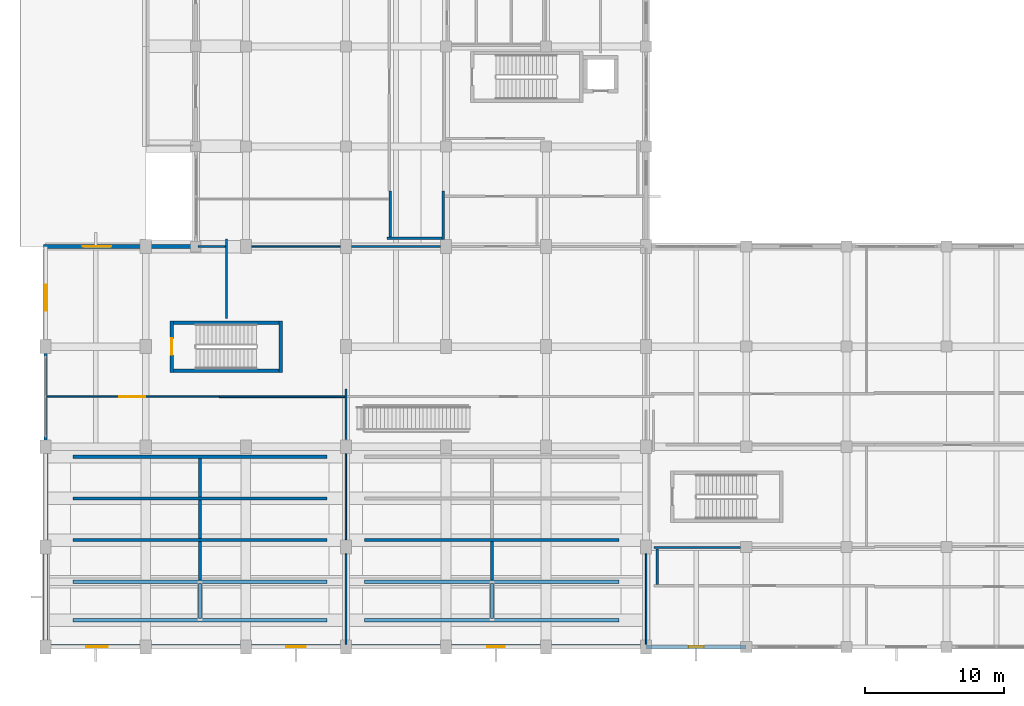
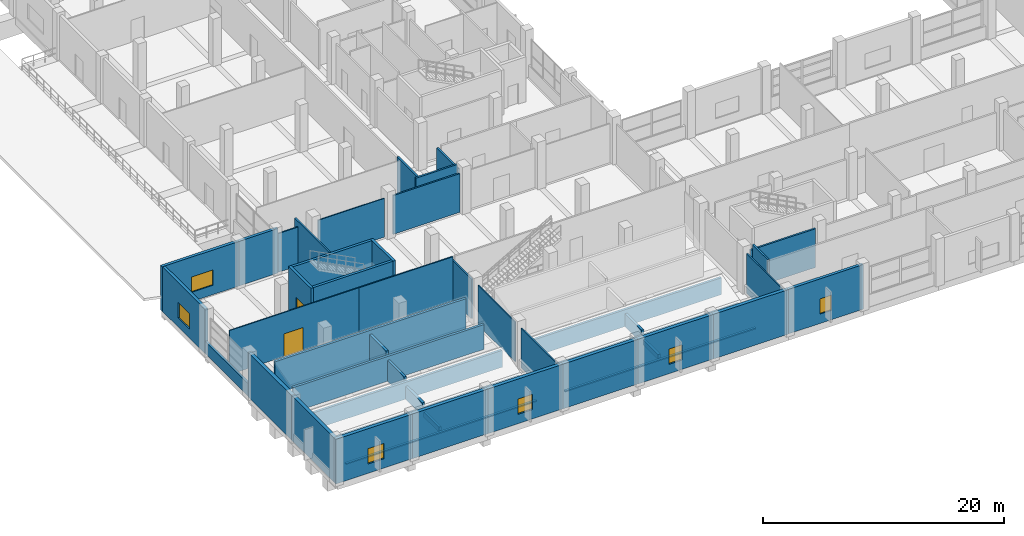
# One storey, part 118 of 140: 46 walls, 6 windows, 2 doors, 8 openings.
"""IFC4 building model written with IfcOpenShell, lengths in metres."""

from ifc_helpers import new_model, si_unit, direction, frame, frame_2d, origin, place, context, subcontext, project, spatial, rectangle, extrude, material, layer, layer_set, type_object, element, fill, save


model = new_model("IFC4")

# Units and contexts
model_context = context("Model", 3, precision=1e-05, world=origin(), true_north=direction((0.0, 1.0)))
body_context = subcontext(model_context, "Body", "Model", "MODEL_VIEW")
ifc_project = project(units=[si_unit("LENGTHUNIT", "METRE"), si_unit("AREAUNIT", "SQUARE_METRE"), si_unit("VOLUMEUNIT", "CUBIC_METRE"), si_unit("PLANEANGLEUNIT", "RADIAN"), si_unit("MASSUNIT", "GRAM", prefix="KILO")], contexts=[model_context])

# Site, building, storey
site_placement = place(None, origin())
site = spatial("IfcSite", under=ifc_project, at=site_placement, CompositionType="ELEMENT")
building_placement = place(site_placement, origin())
building = spatial("IfcBuilding", under=site, at=building_placement, Name="Seraya Terrace Polytechnic", CompositionType="ELEMENT")
storey_placement = place(building_placement, frame((0.0, 0.0, 9.60009765625)))
storey = spatial("IfcBuildingStorey", under=building, at=storey_placement, Name="L02", CompositionType="ELEMENT", Elevation=9.60009765625)

# Wall, opening, window
ifc_material_1 = material(Name="Precast concrete C40/50", Category="concrete")
ifc_layer_1 = layer(ifc_material_1, 0.280029296875, Name="EW-02")
ifc_layer_set_1 = layer_set([ifc_layer_1], Name="Precast concrete C40/50")
wall_type_1 = type_object("IfcWallType", Name="EW-02", PredefinedType="SOLIDWALL", material=ifc_layer_set_1)
wall_1_placement = place(storey_placement, frame((50.39990234375, 0.0, 0.0), z_axis=(0.0, 0.0, 1.0), x_axis=(-1.0, 0.0, 0.0)))
wall_1 = element("IfcWall", 1, at=wall_1_placement, inside=storey, type_object=wall_type_1, Name="Exterior structural wall EW-02 L02", PredefinedType="SOLIDWALL", context=body_context, shape_type="SweptSolid", body=[
    extrude(rectangle(XDim=7.199951171875, YDim=0.280029296875, at=frame_2d((3.60009765625, 0.0))), origin(), (0.0, 0.0, 1.0), 4.52001953125),
])
opening_1_placement = place(wall_1_placement, frame((3.050048828125, 0.0, 0.949951171875)))
opening_1 = element("IfcOpeningElement", 2, at=opening_1_placement, cuts=wall_1, Name="Opening WN-13", PredefinedType="OPENING", context=body_context, shape_type="SweptSolid", body=[
    extrude(rectangle(XDim=1.10009765625, YDim=1.550048828125, at=frame_2d((0.550048828125, 0.77490234375))), frame((0.0, 0.15185546875, 0.0), z_axis=(0.0, -1.0, 0.0), x_axis=(1.0, 0.0, 0.0)), (0.0, 0.0, 1.0), 0.303955078125),
])
ifc_material_2 = material(Name="Laminated solar-control Low-E double glazing", Category="glass")
window_type_1 = type_object("IfcWindowType", Name="WN-13", PartitioningType="SINGLE_PANEL", PredefinedType="WINDOW", material=ifc_material_2)
window_1_placement = place(opening_1_placement, origin())
window_1 = element("IfcWindow", 3, at=window_1_placement, inside=storey, type_object=window_type_1, Name="Exterior window WN-13 L02", OverallHeight=1.550048828125, OverallWidth=1.10009765625, PartitioningType="SINGLE_PANEL", PredefinedType="WINDOW", context=body_context, shape_type="SweptSolid", body=[
    extrude(rectangle(XDim=1.10009765625, YDim=1.550048828125, at=frame_2d((0.550048828125, 0.77490234375))), frame((0.0, 0.030029296875, 0.0), z_axis=(0.0, -1.0, 0.0), x_axis=(1.0, 0.0, 0.0)), (0.0, 0.0, 1.0), 0.06005859375),
])
fill(opening_1, window_1)

wall_2_placement = place(storey_placement, frame((0.0, 21.60009765625, 0.0), z_axis=(0.0, 0.0, 1.0), x_axis=(0.0, 1.0, 0.0)))
wall_2 = element("IfcWall", 4, at=wall_2_placement, inside=storey, type_object=wall_type_1, Name="Exterior structural wall EW-02 L02", PredefinedType="SOLIDWALL", context=body_context, shape_type="SweptSolid", body=[
    extrude(rectangle(XDim=7.033935546875, YDim=0.280029296875, at=frame_2d((3.51708984375, 0.0))), origin(), (0.0, 0.0, 1.0), 4.52001953125),
])
opening_2_placement = place(wall_2_placement, frame((2.592041015625, 0.0, 0.949951171875)))
opening_2 = element("IfcOpeningElement", 5, at=opening_2_placement, cuts=wall_2, Name="Opening WN-18", PredefinedType="OPENING", context=body_context, shape_type="SweptSolid", body=[
    extrude(rectangle(XDim=1.85009765625, YDim=1.550048828125, at=frame_2d((0.925048828125, 0.77490234375))), frame((0.0, 0.15185546875, 0.0), z_axis=(0.0, -1.0, 0.0), x_axis=(1.0, 0.0, 0.0)), (0.0, 0.0, 1.0), 0.303955078125),
])
window_type_2 = type_object("IfcWindowType", Name="WN-18", PartitioningType="SINGLE_PANEL", PredefinedType="WINDOW", material=ifc_material_2)
window_2_placement = place(opening_2_placement, origin())
window_2 = element("IfcWindow", 6, at=window_2_placement, inside=storey, type_object=window_type_2, Name="Exterior window WN-18 L02", OverallHeight=1.550048828125, OverallWidth=1.85009765625, PartitioningType="SINGLE_PANEL", PredefinedType="WINDOW", context=body_context, shape_type="SweptSolid", body=[
    extrude(rectangle(XDim=1.85009765625, YDim=1.550048828125, at=frame_2d((0.925048828125, 0.77490234375))), frame((0.0, 0.030029296875, 0.0), z_axis=(0.0, -1.0, 0.0), x_axis=(1.0, 0.0, 0.0)), (0.0, 0.0, 1.0), 0.06005859375),
])
fill(opening_2, window_2)

wall_3_placement = place(storey_placement, frame((-0.14990234375, 28.800048828125, 0.0), z_axis=(0.0, 0.0, 1.0), x_axis=(1.0, 0.0, 0.0)))
wall_3 = element("IfcWall", 7, at=wall_3_placement, inside=storey, type_object=wall_type_1, Name="Exterior structural wall EW-02 L02", PredefinedType="SOLIDWALL", context=body_context, shape_type="SweptSolid", body=[
    extrude(rectangle(XDim=7.349853515625, YDim=0.280029296875, at=frame_2d((3.6748046875, 0.0))), origin(), (0.0, 0.0, 1.0), 4.52001953125),
])
opening_3_placement = place(wall_3_placement, frame((2.824951171875, 0.0, 0.949951171875)))
opening_3 = element("IfcOpeningElement", 8, at=opening_3_placement, cuts=wall_3, Name="Opening WN-19", PredefinedType="OPENING", context=body_context, shape_type="SweptSolid", body=[
    extrude(rectangle(XDim=2.050048828125, YDim=1.550048828125, at=frame_2d((1.02490234375, 0.77490234375))), frame((0.0, 0.15185546875, 0.0), z_axis=(0.0, -1.0, 0.0), x_axis=(1.0, 0.0, 0.0)), (0.0, 0.0, 1.0), 0.303955078125),
])
window_type_3 = type_object("IfcWindowType", Name="WN-19", PartitioningType="SINGLE_PANEL", PredefinedType="WINDOW", material=ifc_material_2)
window_3_placement = place(opening_3_placement, origin())
window_3 = element("IfcWindow", 9, at=window_3_placement, inside=storey, type_object=window_type_3, Name="Exterior window WN-19 L02", OverallHeight=1.550048828125, OverallWidth=2.050048828125, PartitioningType="SINGLE_PANEL", PredefinedType="WINDOW", context=body_context, shape_type="SweptSolid", body=[
    extrude(rectangle(XDim=2.050048828125, YDim=1.550048828125, at=frame_2d((1.02490234375, 0.77490234375))), frame((0.0, 0.030029296875, 0.0), z_axis=(0.0, -1.0, 0.0), x_axis=(1.0, 0.0, 0.0)), (0.0, 0.0, 1.0), 0.06005859375),
])
fill(opening_3, window_3)

# Walls
wall_4_placement = place(storey_placement, frame((7.199951171875, 28.800048828125, 0.0), z_axis=(0.0, 0.0, 1.0), x_axis=(1.0, 0.0, 0.0)))
element("IfcWall", 10, at=wall_4_placement, inside=storey, type_object=wall_type_1, Name="Exterior structural wall EW-02 L02", PredefinedType="SOLIDWALL", context=body_context, shape_type="SweptSolid", body=[
    extrude(rectangle(XDim=3.75, YDim=0.280029296875, at=frame_2d((1.875, 0.0))), origin(), (0.0, 0.0, 1.0), 4.52001953125),
])
ifc_layer_2 = layer(ifc_material_1, 0.219970703125, Name="EW-05")
ifc_layer_set_2 = layer_set([ifc_layer_2], Name="Precast concrete C40/50")
wall_type_2 = type_object("IfcWallType", Name="EW-05", PredefinedType="SOLIDWALL", material=ifc_layer_set_2)
wall_5_placement = place(storey_placement, frame((0.0, 14.39990234375, 0.0), z_axis=(0.0, 0.0, 1.0), x_axis=(0.0, 1.0, 0.0)))
element("IfcWall", 11, at=wall_5_placement, inside=storey, type_object=wall_type_2, Name="Precast spandrel wall L02", PredefinedType="SOLIDWALL", context=body_context, shape_type="SweptSolid", body=[
    extrude(rectangle(XDim=7.2001953125, YDim=0.219970703125, at=frame_2d((3.60009765625, 0.0))), origin(), (0.0, 0.0, 1.0), 1.239990234375),
])
ifc_material_3 = material(Name="Concrete C40/50", Category="concrete")
ifc_layer_3 = layer(ifc_material_3, 0.330078125, Name="EW-06")
ifc_layer_set_3 = layer_set([ifc_layer_3], Name="Concrete C40/50")
wall_type_3 = type_object("IfcWallType", Name="EW-06", PredefinedType="SOLIDWALL", material=ifc_layer_set_3)
wall_6_placement = place(storey_placement, frame((43.199951171875, 0.0, 0.0), z_axis=(0.0, 0.0, 1.0), x_axis=(-1.0, 0.0, 0.0)))
element("IfcWall", 12, at=wall_6_placement, inside=storey, type_object=wall_type_3, Name="Exterior structural wall EW-06 L02", PredefinedType="SOLIDWALL", context=body_context, shape_type="SweptSolid", body=[
    extrude(rectangle(XDim=7.199951171875, YDim=0.330078125, at=frame_2d((3.60009765625, 0.0))), origin(), (0.0, 0.0, 1.0), 4.52001953125),
])

# Wall, opening, window
wall_7_placement = place(storey_placement, frame((36.0, 0.0, 0.0), z_axis=(0.0, 0.0, 1.0), x_axis=(-1.0, 0.0, 0.0)))
wall_7 = element("IfcWall", 13, at=wall_7_placement, inside=storey, type_object=wall_type_3, Name="Exterior structural wall EW-06 L02", PredefinedType="SOLIDWALL", context=body_context, shape_type="SweptSolid", body=[
    extrude(rectangle(XDim=7.199951171875, YDim=0.330078125, at=frame_2d((3.60009765625, 0.0))), origin(), (0.0, 0.0, 1.0), 4.52001953125),
])
opening_4_placement = place(wall_7_placement, frame((2.97509765625, 0.0, 0.949951171875)))
opening_4 = element("IfcOpeningElement", 14, at=opening_4_placement, cuts=wall_7, Name="Opening WN-14", PredefinedType="OPENING", context=body_context, shape_type="SweptSolid", body=[
    extrude(rectangle(XDim=1.25, YDim=1.550048828125, at=frame_2d((0.625, 0.77490234375))), frame((0.0, 0.177001953125, 0.0), z_axis=(0.0, -1.0, 0.0), x_axis=(1.0, 0.0, 0.0)), (0.0, 0.0, 1.0), 0.35400390625),
])
window_type_4 = type_object("IfcWindowType", Name="WN-14", PartitioningType="SINGLE_PANEL", PredefinedType="WINDOW", material=ifc_material_2)
window_4_placement = place(opening_4_placement, origin())
window_4 = element("IfcWindow", 15, at=window_4_placement, inside=storey, type_object=window_type_4, Name="Exterior window WN-14 L02", OverallHeight=1.550048828125, OverallWidth=1.25, PartitioningType="SINGLE_PANEL", PredefinedType="WINDOW", context=body_context, shape_type="SweptSolid", body=[
    extrude(rectangle(XDim=1.25, YDim=1.550048828125, at=frame_2d((0.625, 0.77490234375))), frame((0.0, 0.030029296875, 0.0), z_axis=(0.0, -1.0, 0.0), x_axis=(1.0, 0.0, 0.0)), (0.0, 0.0, 1.0), 0.06005859375),
])
fill(opening_4, window_4)

# Wall
wall_8_placement = place(storey_placement, frame((28.800048828125, 0.0, 0.0), z_axis=(0.0, 0.0, 1.0), x_axis=(-1.0, 0.0, 0.0)))
element("IfcWall", 16, at=wall_8_placement, inside=storey, type_object=wall_type_3, Name="Exterior structural wall EW-06 L02", PredefinedType="SOLIDWALL", context=body_context, shape_type="SweptSolid", body=[
    extrude(rectangle(XDim=7.199951171875, YDim=0.330078125, at=frame_2d((3.60009765625, 0.0))), origin(), (0.0, 0.0, 1.0), 4.52001953125),
])

# Wall, opening, window
wall_9_placement = place(storey_placement, frame((21.60009765625, 0.0, 0.0), z_axis=(0.0, 0.0, 1.0), x_axis=(-1.0, 0.0, 0.0)))
wall_9 = element("IfcWall", 17, at=wall_9_placement, inside=storey, type_object=wall_type_3, Name="Exterior structural wall EW-06 L02", PredefinedType="SOLIDWALL", context=body_context, shape_type="SweptSolid", body=[
    extrude(rectangle(XDim=7.2001953125, YDim=0.330078125, at=frame_2d((3.60009765625, 0.0))), origin(), (0.0, 0.0, 1.0), 4.52001953125),
])
opening_5_placement = place(wall_9_placement, frame((2.89990234375, 0.0, 0.949951171875)))
opening_5 = element("IfcOpeningElement", 18, at=opening_5_placement, cuts=wall_9, Name="Opening WN-15", PredefinedType="OPENING", context=body_context, shape_type="SweptSolid", body=[
    extrude(rectangle(XDim=1.39990234375, YDim=1.550048828125, at=frame_2d((0.699951171875, 0.77490234375))), frame((0.0, 0.177001953125, 0.0), z_axis=(0.0, -1.0, 0.0), x_axis=(1.0, 0.0, 0.0)), (0.0, 0.0, 1.0), 0.35400390625),
])
window_type_5 = type_object("IfcWindowType", Name="WN-15", PartitioningType="SINGLE_PANEL", PredefinedType="WINDOW", material=ifc_material_2)
window_5_placement = place(opening_5_placement, origin())
window_5 = element("IfcWindow", 19, at=window_5_placement, inside=storey, type_object=window_type_5, Name="Exterior window WN-15 L02", OverallHeight=1.550048828125, OverallWidth=1.39990234375, PartitioningType="SINGLE_PANEL", PredefinedType="WINDOW", context=body_context, shape_type="SweptSolid", body=[
    extrude(rectangle(XDim=1.39990234375, YDim=1.550048828125, at=frame_2d((0.699951171875, 0.77490234375))), frame((0.0, 0.030029296875, 0.0), z_axis=(0.0, -1.0, 0.0), x_axis=(1.0, 0.0, 0.0)), (0.0, 0.0, 1.0), 0.06005859375),
])
fill(opening_5, window_5)

# Wall
wall_10_placement = place(storey_placement, frame((14.39990234375, 0.0, 0.0), z_axis=(0.0, 0.0, 1.0), x_axis=(-1.0, 0.0, 0.0)))
element("IfcWall", 20, at=wall_10_placement, inside=storey, type_object=wall_type_3, Name="Exterior structural wall EW-06 L02", PredefinedType="SOLIDWALL", context=body_context, shape_type="SweptSolid", body=[
    extrude(rectangle(XDim=7.199951171875, YDim=0.330078125, at=frame_2d((3.60009765625, 0.0))), origin(), (0.0, 0.0, 1.0), 4.52001953125),
])

# Wall, opening, window
wall_11_placement = place(storey_placement, frame((7.199951171875, 0.0, 0.0), z_axis=(0.0, 0.0, 1.0), x_axis=(-1.0, 0.0, 0.0)))
wall_11 = element("IfcWall", 21, at=wall_11_placement, inside=storey, type_object=wall_type_3, Name="Exterior structural wall EW-06 L02", PredefinedType="SOLIDWALL", context=body_context, shape_type="SweptSolid", body=[
    extrude(rectangle(XDim=7.349853515625, YDim=0.330078125, at=frame_2d((3.6748046875, 0.0))), origin(), (0.0, 0.0, 1.0), 4.52001953125),
])
opening_6_placement = place(wall_11_placement, frame((2.72509765625, 0.0, 0.949951171875)))
opening_6 = element("IfcOpeningElement", 22, at=opening_6_placement, cuts=wall_11, Name="Opening WN-16", PredefinedType="OPENING", context=body_context, shape_type="SweptSolid", body=[
    extrude(rectangle(XDim=1.550048828125, YDim=1.550048828125, at=frame_2d((0.77490234375, 0.77490234375))), frame((0.0, 0.177001953125, 0.0), z_axis=(0.0, -1.0, 0.0), x_axis=(1.0, 0.0, 0.0)), (0.0, 0.0, 1.0), 0.35400390625),
])
window_type_6 = type_object("IfcWindowType", Name="WN-16", PartitioningType="SINGLE_PANEL", PredefinedType="WINDOW", material=ifc_material_2)
window_6_placement = place(opening_6_placement, origin())
window_6 = element("IfcWindow", 23, at=window_6_placement, inside=storey, type_object=window_type_6, Name="Exterior window WN-16 L02", OverallHeight=1.550048828125, OverallWidth=1.550048828125, PartitioningType="SINGLE_PANEL", PredefinedType="WINDOW", context=body_context, shape_type="SweptSolid", body=[
    extrude(rectangle(XDim=1.550048828125, YDim=1.550048828125, at=frame_2d((0.77490234375, 0.77490234375))), frame((0.0, 0.030029296875, 0.0), z_axis=(0.0, -1.0, 0.0), x_axis=(1.0, 0.0, 0.0)), (0.0, 0.0, 1.0), 0.06005859375),
])
fill(opening_6, window_6)

# Walls
wall_12_placement = place(storey_placement, frame((0.0, 0.166015625, 0.0), z_axis=(0.0, 0.0, 1.0), x_axis=(0.0, 1.0, 0.0)))
element("IfcWall", 24, at=wall_12_placement, inside=storey, type_object=wall_type_3, Name="Exterior structural wall EW-06 L02", PredefinedType="SOLIDWALL", context=body_context, shape_type="SweptSolid", body=[
    extrude(rectangle(XDim=7.033935546875, YDim=0.330078125, at=frame_2d((3.51708984375, 0.0))), origin(), (0.0, 0.0, 1.0), 4.52001953125),
])
wall_13_placement = place(storey_placement, frame((0.0, 7.199951171875, 0.0), z_axis=(0.0, 0.0, 1.0), x_axis=(0.0, 1.0, 0.0)))
element("IfcWall", 25, at=wall_13_placement, inside=storey, type_object=wall_type_3, Name="Exterior structural wall EW-06 L02", PredefinedType="SOLIDWALL", context=body_context, shape_type="SweptSolid", body=[
    extrude(rectangle(XDim=7.199951171875, YDim=0.330078125, at=frame_2d((3.60009765625, 0.0))), origin(), (0.0, 0.0, 1.0), 4.52001953125),
])
ifc_material_4 = material(Name="Autoclaved aerated concrete blockwork", Category="masonry")
ifc_layer_4 = layer(ifc_material_4, 0.169921875, Name="PT-02")
ifc_layer_set_4 = layer_set([ifc_layer_4], Name="Autoclaved aerated concrete blockwork")
wall_type_4 = type_object("IfcWallType", Name="PT-02", PredefinedType="PARTITIONING", material=ifc_layer_set_4)
wall_14_placement = place(storey_placement, frame((43.760009765625, 7.14990234375, 0.0), z_axis=(0.0, 0.0, 1.0), x_axis=(1.0, 0.0, 0.0)))
element("IfcWall", 26, at=wall_14_placement, inside=storey, type_object=wall_type_4, Name="Internal partition PT-02 L02", PredefinedType="PARTITIONING", context=body_context, shape_type="SweptSolid", body=[
    extrude(rectangle(XDim=6.22998046875, YDim=0.169921875, at=frame_2d((3.114990234375, 0.0))), origin(), (0.0, 0.0, 1.0), 3.929931640625),
])
wall_15_placement = place(storey_placement, frame((44.0, 4.5, 0.0), z_axis=(0.0, 0.0, 1.0), x_axis=(0.0, 1.0, 0.0)))
element("IfcWall", 27, at=wall_15_placement, inside=storey, type_object=wall_type_4, Name="Internal partition PT-02 L02", PredefinedType="PARTITIONING", context=body_context, shape_type="SweptSolid", body=[
    extrude(rectangle(XDim=2.550048828125, YDim=0.169921875, at=frame_2d((1.27490234375, 0.0))), origin(), (0.0, 0.0, 1.0), 4.4599609375),
])
wall_16_placement = place(storey_placement, frame((28.60009765625, 29.31005859375, 0.0), z_axis=(0.0, 0.0, 1.0), x_axis=(0.0, 1.0, 0.0)))
element("IfcWall", 28, at=wall_16_placement, inside=storey, type_object=wall_type_4, Name="Internal partition PT-02 L02", PredefinedType="PARTITIONING", context=body_context, shape_type="SweptSolid", body=[
    extrude(rectangle(XDim=3.4853515625, YDim=0.169921875, at=frame_2d((1.74267578125, 0.0))), origin(), (0.0, 0.0, 1.0), 4.02978515625),
])
wall_17_placement = place(storey_placement, frame((24.56005859375, 29.39990234375, 0.0), z_axis=(0.0, 0.0, 1.0), x_axis=(1.0, 0.0, 0.0)))
element("IfcWall", 29, at=wall_17_placement, inside=storey, type_object=wall_type_4, Name="Internal partition PT-02 L02", PredefinedType="PARTITIONING", context=body_context, shape_type="SweptSolid", body=[
    extrude(rectangle(XDim=3.93994140625, YDim=0.169921875, at=frame_2d((1.969970703125, 0.0))), origin(), (0.0, 0.0, 1.0), 4.4599609375),
])
wall_18_placement = place(storey_placement, frame((24.800048828125, 29.5, 0.0), z_axis=(0.0, 0.0, 1.0), x_axis=(0.0, 1.0, 0.0)))
element("IfcWall", 30, at=wall_18_placement, inside=storey, type_object=wall_type_4, Name="Internal partition PT-02 L02", PredefinedType="PARTITIONING", context=body_context, shape_type="SweptSolid", body=[
    extrude(rectangle(XDim=3.29541015625, YDim=0.169921875, at=frame_2d((1.647705078125, 0.0))), origin(), (0.0, 0.0, 1.0), 4.4599609375),
])
ifc_layer_5 = layer(ifc_material_4, 0.14990234375, Name="PT-03")
ifc_layer_set_5 = layer_set([ifc_layer_5], Name="Autoclaved aerated concrete blockwork")
wall_type_5 = type_object("IfcWallType", Name="PT-03", PredefinedType="PARTITIONING", material=ifc_layer_set_5)
wall_19_placement = place(storey_placement, frame((21.60009765625, 14.909912109375, 0.0), z_axis=(0.0, 0.0, 1.0), x_axis=(0.0, 1.0, 0.0)))
element("IfcWall", 31, at=wall_19_placement, inside=storey, type_object=wall_type_5, Name="Internal partition PT-03 L02", PredefinedType="PARTITIONING", context=body_context, shape_type="SweptSolid", body=[
    extrude(rectangle(XDim=3.650146484375, YDim=0.14990234375, at=frame_2d((1.8251953125, 0.0))), origin(), (0.0, 0.0, 1.0), 4.02978515625),
])
wall_20_placement = place(storey_placement, frame((13.0, 23.6298828125, 0.0), z_axis=(0.0, 0.0, 1.0), x_axis=(0.0, 1.0, 0.0)))
element("IfcWall", 32, at=wall_20_placement, inside=storey, type_object=wall_type_5, Name="Internal partition PT-03 L02", PredefinedType="PARTITIONING", context=body_context, shape_type="SweptSolid", body=[
    extrude(rectangle(XDim=5.724365234375, YDim=0.14990234375, at=frame_2d((2.8623046875, 0.0))), origin(), (0.0, 0.0, 1.0), 4.4599609375),
])
wall_21_placement = place(storey_placement, frame((22.010009765625, 28.800048828125, 0.0), z_axis=(0.0, 0.0, 1.0), x_axis=(1.0, 0.0, 0.0)))
element("IfcWall", 33, at=wall_21_placement, inside=storey, type_object=wall_type_5, Name="Internal partition PT-03 L02", PredefinedType="PARTITIONING", context=body_context, shape_type="SweptSolid", body=[
    extrude(rectangle(XDim=6.3798828125, YDim=0.14990234375, at=frame_2d((3.18994140625, 0.0))), origin(), (0.0, 0.0, 1.0), 3.929931640625),
])
ifc_layer_6 = layer(ifc_material_4, 0.1201171875, Name="PT-05")
ifc_layer_set_6 = layer_set([ifc_layer_6], Name="Autoclaved aerated concrete blockwork")
wall_type_6 = type_object("IfcWallType", Name="PT-05", PredefinedType="PARTITIONING", material=ifc_layer_set_6)
wall_22_placement = place(storey_placement, frame((21.60009765625, 0.177001953125, 0.0), z_axis=(0.0, 0.0, 1.0), x_axis=(0.0, 1.0, 0.0)))
element("IfcWall", 34, at=wall_22_placement, inside=storey, type_object=wall_type_6, Name="Internal partition PT-05 L02", PredefinedType="PARTITIONING", context=body_context, shape_type="SweptSolid", body=[
    extrude(rectangle(XDim=6.512939453125, YDim=0.1201171875, at=frame_2d((3.25634765625, 0.0))), origin(), (0.0, 0.0, 1.0), 4.02978515625),
])
wall_23_placement = place(storey_placement, frame((12.5, 18.0, 0.0), z_axis=(0.0, 0.0, 1.0), x_axis=(1.0, 0.0, 0.0)))
element("IfcWall", 35, at=wall_23_placement, inside=storey, type_object=wall_type_6, Name="Internal partition PT-05 L02", PredefinedType="PARTITIONING", context=body_context, shape_type="SweptSolid", body=[
    extrude(rectangle(XDim=9.010009765625, YDim=0.1201171875, at=frame_2d((4.5048828125, 0.0))), origin(), (0.0, 0.0, 1.0), 4.4599609375),
])
wall_24_placement = place(storey_placement, frame((43.199951171875, 0.177001953125, 0.0), z_axis=(0.0, 0.0, 1.0), x_axis=(0.0, 1.0, 0.0)))
element("IfcWall", 36, at=wall_24_placement, inside=storey, type_object=wall_type_6, Name="Internal partition PT-05 L02", PredefinedType="PARTITIONING", context=body_context, shape_type="SweptSolid", body=[
    extrude(rectangle(XDim=6.512939453125, YDim=0.1201171875, at=frame_2d((3.25634765625, 0.0))), origin(), (0.0, 0.0, 1.0), 4.02978515625),
])
wall_25_placement = place(storey_placement, frame((10.9619140625, 28.800048828125, 0.0), z_axis=(0.0, 0.0, 1.0), x_axis=(1.0, 0.0, 0.0)))
element("IfcWall", 37, at=wall_25_placement, inside=storey, type_object=wall_type_6, Name="Internal partition PT-05 L02", PredefinedType="PARTITIONING", context=body_context, shape_type="SweptSolid", body=[
    extrude(rectangle(XDim=1.947998046875, YDim=0.1201171875, at=frame_2d((0.97412109375, 0.0))), origin(), (0.0, 0.0, 1.0), 3.929931640625),
])
ifc_layer_7 = layer(ifc_material_4, 0.10009765625, Name="PT-06")
ifc_layer_set_7 = layer_set([ifc_layer_7], Name="Autoclaved aerated concrete blockwork")
wall_type_7 = type_object("IfcWallType", Name="PT-06", PredefinedType="PARTITIONING", material=ifc_layer_set_7)
wall_26_placement = place(storey_placement, frame((21.60009765625, 7.7099609375, 0.0), z_axis=(0.0, 0.0, 1.0), x_axis=(0.0, 1.0, 0.0)))
element("IfcWall", 38, at=wall_26_placement, inside=storey, type_object=wall_type_7, Name="Internal partition PT-06 L02", PredefinedType="PARTITIONING", context=body_context, shape_type="SweptSolid", body=[
    extrude(rectangle(XDim=6.179931640625, YDim=0.10009765625, at=frame_2d((3.08984375, 0.0))), origin(), (0.0, 0.0, 1.0), 4.02978515625),
])

# Wall, opening, door
wall_27_placement = place(storey_placement, frame((0.1220703125, 18.0, 0.0), z_axis=(0.0, 0.0, 1.0), x_axis=(1.0, 0.0, 0.0)))
wall_27 = element("IfcWall", 39, at=wall_27_placement, inside=storey, type_object=wall_type_7, Name="Internal partition PT-06 L02", PredefinedType="PARTITIONING", context=body_context, shape_type="SweptSolid", body=[
    extrude(rectangle(XDim=12.3779296875, YDim=0.10009765625, at=frame_2d((6.18896484375, 0.0))), origin(), (0.0, 0.0, 1.0), 4.4599609375),
])
opening_7_placement = place(wall_27_placement, frame((5.18505859375, 0.0, 0.0)))
opening_7 = element("IfcOpeningElement", 40, at=opening_7_placement, cuts=wall_27, Name="Opening ID-15", PredefinedType="OPENING", context=body_context, shape_type="SweptSolid", body=[
    extrude(rectangle(XDim=1.840087890625, YDim=2.300048828125, at=frame_2d((0.919921875, 1.14990234375))), frame((0.0, 0.06201171875, 0.0), z_axis=(0.0, -1.0, 0.0), x_axis=(1.0, 0.0, 0.0)), (0.0, 0.0, 1.0), 0.1240234375),
])
ifc_material_5 = material(Name="Malaysian dark red meranti hardwood timber D40", Category="wood")
door_type_1 = type_object("IfcDoorType", Name="ID-15", OperationType="DOUBLE_DOOR_SINGLE_SWING", PredefinedType="DOOR", material=ifc_material_5)
door_1_placement = place(opening_7_placement, origin())
door_1 = element("IfcDoor", 41, at=door_1_placement, inside=storey, type_object=door_type_1, Name="Door ID-15 DR-INT-L02-0140 in WL-INT-L02-0498", OperationType="DOUBLE_DOOR_SINGLE_SWING", OverallHeight=2.300048828125, OverallWidth=1.840087890625, PredefinedType="DOOR", context=body_context, shape_type="SweptSolid", body=[
    extrude(rectangle(XDim=1.840087890625, YDim=2.300048828125, at=frame_2d((0.919921875, 1.14990234375))), frame((0.0, 0.02490234375, 0.0), z_axis=(0.0, -1.0, 0.0), x_axis=(1.0, 0.0, 0.0)), (0.0, 0.0, 1.0), 0.050048828125),
])
fill(opening_7, door_1)

# Walls
wall_28_placement = place(storey_placement, frame((14.81005859375, 28.800048828125, 0.0), z_axis=(0.0, 0.0, 1.0), x_axis=(1.0, 0.0, 0.0)))
element("IfcWall", 42, at=wall_28_placement, inside=storey, type_object=wall_type_7, Name="Internal partition PT-06 L02", PredefinedType="PARTITIONING", context=body_context, shape_type="SweptSolid", body=[
    extrude(rectangle(XDim=6.3798828125, YDim=0.10009765625, at=frame_2d((3.18994140625, 0.0))), origin(), (0.0, 0.0, 1.0), 3.929931640625),
])
ifc_layer_8 = layer(ifc_material_3, 0.22998046875, Name="RW-T1")
ifc_layer_set_8 = layer_set([ifc_layer_8], Name="Concrete C40/50")
wall_type_8 = type_object("IfcWallType", Name="RW-T1", PredefinedType="SOLIDWALL", material=ifc_layer_set_8)
wall_29_placement = place(storey_placement, frame((1.949951171875, 1.919921875, 0.0), z_axis=(0.0, 0.0, 1.0), x_axis=(1.0, 0.0, 0.0)))
element("IfcWall", 43, at=wall_29_placement, inside=storey, type_object=wall_type_8, Name="Lecture seating tier toe support wall LT3", PredefinedType="SOLIDWALL", context=body_context, shape_type="SweptSolid", body=[
    extrude(rectangle(XDim=18.300048828125, YDim=0.22998046875, at=frame_2d((9.14990234375, 0.0))), origin(), (0.0, 0.0, 1.0), 0.1298828125),
])
wall_30_placement = place(storey_placement, frame((1.949951171875, 4.679931640625, 0.0), z_axis=(0.0, 0.0, 1.0), x_axis=(1.0, 0.0, 0.0)))
element("IfcWall", 44, at=wall_30_placement, inside=storey, type_object=wall_type_8, Name="Lecture seating tier support wall LT3 bank 1", PredefinedType="SOLIDWALL", context=body_context, shape_type="SweptSolid", body=[
    extrude(rectangle(XDim=18.300048828125, YDim=0.22998046875, at=frame_2d((9.14990234375, 0.0))), origin(), (0.0, 0.0, 1.0), 0.909912109375),
])
wall_31_placement = place(storey_placement, frame((11.10009765625, 2.034912109375, 0.0), z_axis=(0.0, 0.0, 1.0), x_axis=(0.0, 1.0, 0.0)))
element("IfcWall", 45, at=wall_31_placement, inside=storey, type_object=wall_type_8, Name="Lecture seating tier spine wall LT3 bank 1", PredefinedType="SOLIDWALL", context=body_context, shape_type="SweptSolid", body=[
    extrude(rectangle(XDim=2.530029296875, YDim=0.22998046875, at=frame_2d((1.26513671875, 0.0))), origin(), (0.0, 0.0, 1.0), 0.510009765625),
])
wall_32_placement = place(storey_placement, frame((1.949951171875, 7.679931640625, 0.0), z_axis=(0.0, 0.0, 1.0), x_axis=(1.0, 0.0, 0.0)))
element("IfcWall", 46, at=wall_32_placement, inside=storey, type_object=wall_type_8, Name="Lecture seating tier support wall LT3 bank 2", PredefinedType="SOLIDWALL", context=body_context, shape_type="SweptSolid", body=[
    extrude(rectangle(XDim=18.300048828125, YDim=0.22998046875, at=frame_2d((9.14990234375, 0.0))), origin(), (0.0, 0.0, 1.0), 1.7099609375),
])
wall_33_placement = place(storey_placement, frame((11.10009765625, 4.794921875, 0.0), z_axis=(0.0, 0.0, 1.0), x_axis=(0.0, 1.0, 0.0)))
element("IfcWall", 47, at=wall_33_placement, inside=storey, type_object=wall_type_8, Name="Lecture seating tier spine wall LT3 bank 2", PredefinedType="SOLIDWALL", context=body_context, shape_type="SweptSolid", body=[
    extrude(rectangle(XDim=2.77001953125, YDim=0.22998046875, at=frame_2d((1.385009765625, 0.0))), origin(), (0.0, 0.0, 1.0), 1.309814453125),
])
wall_34_placement = place(storey_placement, frame((1.949951171875, 10.679931640625, 0.0), z_axis=(0.0, 0.0, 1.0), x_axis=(1.0, 0.0, 0.0)))
element("IfcWall", 48, at=wall_34_placement, inside=storey, type_object=wall_type_8, Name="Lecture seating tier support wall LT3 bank 3", PredefinedType="SOLIDWALL", context=body_context, shape_type="SweptSolid", body=[
    extrude(rectangle(XDim=18.300048828125, YDim=0.22998046875, at=frame_2d((9.14990234375, 0.0))), origin(), (0.0, 0.0, 1.0), 2.510009765625),
])
wall_35_placement = place(storey_placement, frame((11.10009765625, 7.794921875, 0.0), z_axis=(0.0, 0.0, 1.0), x_axis=(0.0, 1.0, 0.0)))
element("IfcWall", 49, at=wall_35_placement, inside=storey, type_object=wall_type_8, Name="Lecture seating tier spine wall LT3 bank 3", PredefinedType="SOLIDWALL", context=body_context, shape_type="SweptSolid", body=[
    extrude(rectangle(XDim=2.77001953125, YDim=0.22998046875, at=frame_2d((1.385009765625, 0.0))), origin(), (0.0, 0.0, 1.0), 2.10986328125),
])
wall_36_placement = place(storey_placement, frame((1.949951171875, 13.679931640625, 0.0), z_axis=(0.0, 0.0, 1.0), x_axis=(1.0, 0.0, 0.0)))
element("IfcWall", 50, at=wall_36_placement, inside=storey, type_object=wall_type_8, Name="Lecture seating tier support wall LT3 bank 4", PredefinedType="SOLIDWALL", context=body_context, shape_type="SweptSolid", body=[
    extrude(rectangle(XDim=18.300048828125, YDim=0.22998046875, at=frame_2d((9.14990234375, 0.0))), origin(), (0.0, 0.0, 1.0), 3.309814453125),
])
wall_37_placement = place(storey_placement, frame((11.10009765625, 10.794921875, 0.0), z_axis=(0.0, 0.0, 1.0), x_axis=(0.0, 1.0, 0.0)))
element("IfcWall", 51, at=wall_37_placement, inside=storey, type_object=wall_type_8, Name="Lecture seating tier spine wall LT3 bank 4", PredefinedType="SOLIDWALL", context=body_context, shape_type="SweptSolid", body=[
    extrude(rectangle(XDim=2.77001953125, YDim=0.22998046875, at=frame_2d((1.385009765625, 0.0))), origin(), (0.0, 0.0, 1.0), 2.909912109375),
])
wall_38_placement = place(storey_placement, frame((22.949951171875, 1.919921875, 0.0), z_axis=(0.0, 0.0, 1.0), x_axis=(1.0, 0.0, 0.0)))
element("IfcWall", 52, at=wall_38_placement, inside=storey, type_object=wall_type_8, Name="Lecture seating tier toe support wall LT4", PredefinedType="SOLIDWALL", context=body_context, shape_type="SweptSolid", body=[
    extrude(rectangle(XDim=18.300048828125, YDim=0.22998046875, at=frame_2d((9.14990234375, 0.0))), origin(), (0.0, 0.0, 1.0), 0.1298828125),
])
wall_39_placement = place(storey_placement, frame((22.949951171875, 4.679931640625, 0.0), z_axis=(0.0, 0.0, 1.0), x_axis=(1.0, 0.0, 0.0)))
element("IfcWall", 53, at=wall_39_placement, inside=storey, type_object=wall_type_8, Name="Lecture seating tier support wall LT4 bank 1", PredefinedType="SOLIDWALL", context=body_context, shape_type="SweptSolid", body=[
    extrude(rectangle(XDim=18.300048828125, YDim=0.22998046875, at=frame_2d((9.14990234375, 0.0))), origin(), (0.0, 0.0, 1.0), 0.909912109375),
])
wall_40_placement = place(storey_placement, frame((32.10009765625, 2.034912109375, 0.0), z_axis=(0.0, 0.0, 1.0), x_axis=(0.0, 1.0, 0.0)))
element("IfcWall", 54, at=wall_40_placement, inside=storey, type_object=wall_type_8, Name="Lecture seating tier spine wall LT4 bank 1", PredefinedType="SOLIDWALL", context=body_context, shape_type="SweptSolid", body=[
    extrude(rectangle(XDim=2.530029296875, YDim=0.22998046875, at=frame_2d((1.26513671875, 0.0))), origin(), (0.0, 0.0, 1.0), 0.510009765625),
])
wall_41_placement = place(storey_placement, frame((22.949951171875, 7.679931640625, 0.0), z_axis=(0.0, 0.0, 1.0), x_axis=(1.0, 0.0, 0.0)))
element("IfcWall", 55, at=wall_41_placement, inside=storey, type_object=wall_type_8, Name="Lecture seating tier support wall LT4 bank 2", PredefinedType="SOLIDWALL", context=body_context, shape_type="SweptSolid", body=[
    extrude(rectangle(XDim=18.300048828125, YDim=0.22998046875, at=frame_2d((9.14990234375, 0.0))), origin(), (0.0, 0.0, 1.0), 1.7099609375),
])
wall_42_placement = place(storey_placement, frame((32.10009765625, 4.794921875, 0.0), z_axis=(0.0, 0.0, 1.0), x_axis=(0.0, 1.0, 0.0)))
element("IfcWall", 56, at=wall_42_placement, inside=storey, type_object=wall_type_8, Name="Lecture seating tier spine wall LT4 bank 2", PredefinedType="SOLIDWALL", context=body_context, shape_type="SweptSolid", body=[
    extrude(rectangle(XDim=2.77001953125, YDim=0.22998046875, at=frame_2d((1.385009765625, 0.0))), origin(), (0.0, 0.0, 1.0), 1.309814453125),
])

# Wall, opening, door
ifc_layer_9 = layer(ifc_material_3, 0.25, Name="SW-02")
ifc_layer_set_9 = layer_set([ifc_layer_9], Name="Concrete C40/50")
wall_type_9 = type_object("IfcWallType", Name="SW-02", PredefinedType="SHEAR", material=ifc_layer_set_9)
wall_43_placement = place(storey_placement, frame((9.074951171875, 19.75, 0.0), z_axis=(0.0, 0.0, 1.0), x_axis=(0.0, 1.0, 0.0)))
wall_43 = element("IfcWall", 57, at=wall_43_placement, inside=storey, type_object=wall_type_9, Name="Stairwell ST-09 West wall L02", PredefinedType="SHEAR", context=body_context, shape_type="SweptSolid", body=[
    extrude(rectangle(XDim=3.699951171875, YDim=0.25, at=frame_2d((1.85009765625, 0.0))), origin(), (0.0, 0.0, 1.0), 4.5498046875),
])
opening_8_placement = place(wall_43_placement, frame((1.25, 0.0, 0.0)))
opening_8 = element("IfcOpeningElement", 58, at=opening_8_placement, cuts=wall_43, Name="Opening FD-01", PredefinedType="OPENING", context=body_context, shape_type="SweptSolid", body=[
    extrude(rectangle(XDim=1.199951171875, YDim=2.14990234375, at=frame_2d((0.60009765625, 1.074951171875))), frame((0.0, 0.136962890625, 0.0), z_axis=(0.0, -1.0, 0.0), x_axis=(1.0, 0.0, 0.0)), (0.0, 0.0, 1.0), 0.27392578125),
])
ifc_material_6 = material(Name="Steel S355J2", Category="steel")
door_type_2 = type_object("IfcDoorType", Name="FD-01", OperationType="NOTDEFINED", PredefinedType="DOOR", material=ifc_material_6)
door_2_placement = place(opening_8_placement, frame((1.199951171875, 0.0, 0.0), z_axis=(0.0, 0.0, 1.0), x_axis=(-1.0, 0.0, 0.0)))
door_2 = element("IfcDoor", 59, at=door_2_placement, inside=storey, type_object=door_type_2, Name="Door FD-01 DR-STR-ST-09-L02 in WL-STR-ST-09-L02-W", OperationType="SINGLE_SWING_LEFT", OverallHeight=2.14990234375, OverallWidth=1.199951171875, PredefinedType="DOOR", context=body_context, shape_type="SweptSolid", body=[
    extrude(rectangle(XDim=1.199951171875, YDim=2.14990234375, at=frame_2d((0.60009765625, 1.074951171875))), frame((0.0, 0.02490234375, 0.0), z_axis=(0.0, -1.0, 0.0), x_axis=(1.0, 0.0, 0.0)), (0.0, 0.0, 1.0), 0.050048828125),
])
fill(opening_8, door_2)

# Walls
wall_44_placement = place(storey_placement, frame((16.925048828125, 19.75, 0.0), z_axis=(0.0, 0.0, 1.0), x_axis=(0.0, 1.0, 0.0)))
element("IfcWall", 60, at=wall_44_placement, inside=storey, type_object=wall_type_9, Name="Stairwell ST-09 East wall L02", PredefinedType="SHEAR", context=body_context, shape_type="SweptSolid", body=[
    extrude(rectangle(XDim=3.699951171875, YDim=0.25, at=frame_2d((1.85009765625, 0.0))), origin(), (0.0, 0.0, 1.0), 4.5498046875),
])
for number, where, z_axis, x_axis, name in (
    (61, (9.199951171875, 19.875, 0.0), (0.0, 0.0, 1.0), (1.0, 0.0, 0.0), "Stairwell ST-09 South wall L02"),
    (62, (9.199951171875, 23.324951171875, 0.0), (0.0, 0.0, 1.0), (1.0, 0.0, 0.0), "Stairwell ST-09 North wall L02"),
):
    element("IfcWall", number, at=place(storey_placement, frame(where, z_axis=z_axis, x_axis=x_axis)), inside=storey, type_object=wall_type_9, Name=name, PredefinedType="SHEAR", context=body_context, shape_type="SweptSolid", body=[
        extrude(rectangle(XDim=7.60009765625, YDim=0.25, at=frame_2d((3.800048828125, 0.0))), origin(), (0.0, 0.0, 1.0), 4.5498046875),
    ])

save(model, "model.ifc")
